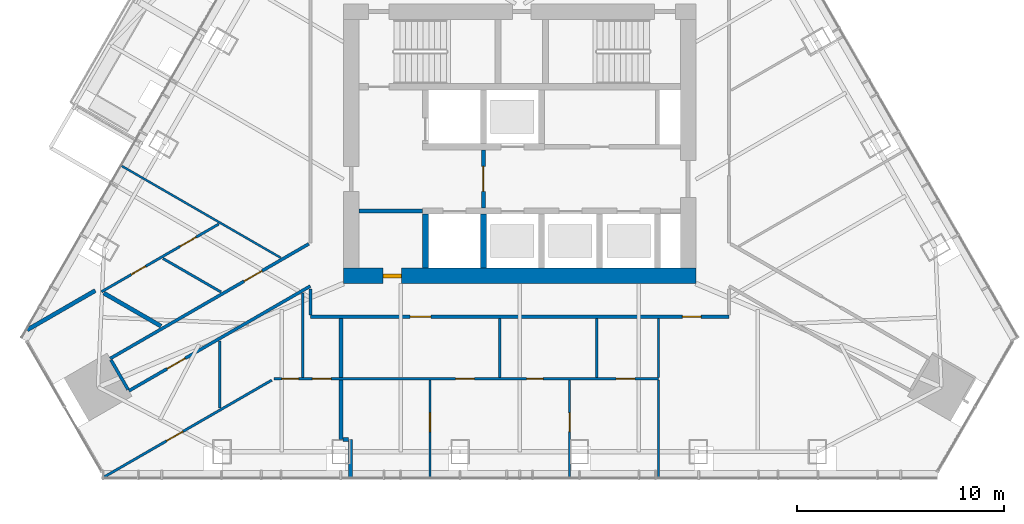
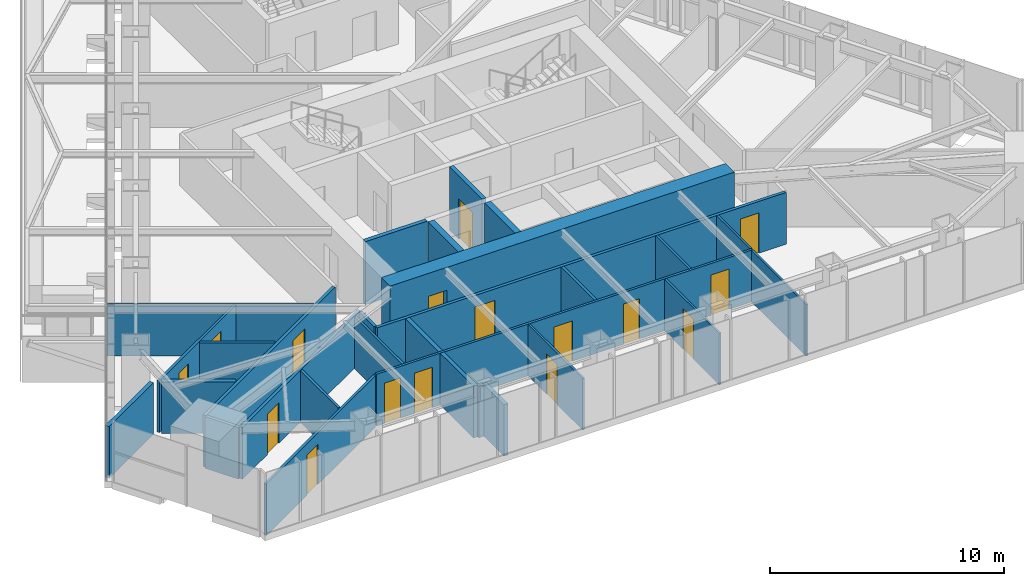
# One storey, part 10 of 16: 29 walls, 16 doors, 16 openings.
"""IFC4 building model written with IfcOpenShell, lengths in metres."""

from ifc_helpers import new_model, si_unit, direction, frame, frame_2d, origin, place, context, subcontext, project, spatial, rectangle, extrude, material, layer, layer_set, type_object, element, fill, save


model = new_model("IFC4")

# Units and contexts
model_context = context("Model", 3, precision=1e-05, world=origin(), true_north=direction((0.0, 1.0)))
body_context = subcontext(model_context, "Body", "Model", "MODEL_VIEW")
ifc_project = project(units=[si_unit("LENGTHUNIT", "METRE"), si_unit("AREAUNIT", "SQUARE_METRE"), si_unit("VOLUMEUNIT", "CUBIC_METRE"), si_unit("PLANEANGLEUNIT", "RADIAN"), si_unit("MASSUNIT", "GRAM", prefix="KILO")], contexts=[model_context])

# Site, building, storey
site_placement = place(None, origin())
site = spatial("IfcSite", under=ifc_project, at=site_placement, CompositionType="ELEMENT")
building_placement = place(site_placement, origin())
building = spatial("IfcBuilding", under=site, at=building_placement, Name="Firuza Gate Tower and Library", CompositionType="ELEMENT")
storey_placement = place(building_placement, frame((0.0, 0.0, 319.60009765625)))
storey = spatial("IfcBuildingStorey", under=building, at=storey_placement, Name="L78", CompositionType="ELEMENT", Elevation=319.60009765625)

# Wall
ifc_material_1 = material(Name="Plasterboard on steel studs", Category="steel")
ifc_layer_1 = layer(ifc_material_1, 0.199951171875)
ifc_layer_set_1 = layer_set([ifc_layer_1], Name="Core partition 200 EI 60")
wall_type_1 = type_object("IfcWallType", Name="Core partition 200 EI 60", PredefinedType="PARTITIONING", material=ifc_layer_set_1)
wall_1_placement = place(storey_placement, frame((67.25, 71.75, 0.0), z_axis=(0.0, 0.0, 1.0), x_axis=(1.0, 0.0, 0.0)))
element("IfcWall", 1, at=wall_1_placement, inside=storey, type_object=wall_type_1, Name="Core partition L78 1", PredefinedType="PARTITIONING", context=body_context, shape_type="SweptSolid", body=[
    extrude(rectangle(XDim=3.050048828125, YDim=0.199951171875, at=frame_2d((1.52490234375, 0.0))), origin(), (0.0, 0.0, 1.0), 3.2998046875),
])

# Wall, opening, door
wall_2_placement = place(storey_placement, frame((73.25, 71.89990234375, 0.0), z_axis=(0.0, 0.0, 1.0), x_axis=(0.0, 1.0, 0.0)))
wall_2 = element("IfcWall", 2, at=wall_2_placement, inside=storey, type_object=wall_type_1, Name="Core partition L78 4", PredefinedType="PARTITIONING", context=body_context, shape_type="SweptSolid", body=[
    extrude(rectangle(XDim=2.800048828125, YDim=0.199951171875, at=frame_2d((1.39990234375, 0.0))), origin(), (0.0, 0.0, 1.0), 3.2998046875),
])
opening_1_placement = place(wall_2_placement, frame((0.800048828125, 0.0, 0.0)))
opening_1 = element("IfcOpeningElement", 3, at=opening_1_placement, cuts=wall_2, Name="Opening L78-K14", PredefinedType="OPENING", context=body_context, shape_type="SweptSolid", body=[
    extrude(rectangle(XDim=1.199951171875, YDim=2.10009765625, at=frame_2d((0.60009765625, 1.050048828125))), frame((0.0, 0.10986328125, 0.0), z_axis=(0.0, -1.0, 0.0), x_axis=(1.0, 0.0, 0.0)), (0.0, 0.0, 1.0), 0.219970703125),
])
ifc_material_2 = material(Name="Steel", Category="steel")
door_type_1 = type_object("IfcDoorType", Name="Fire door 1200x2100 FD90S", OperationType="NOTDEFINED", PredefinedType="DOOR", material=ifc_material_2)
door_1_placement = place(opening_1_placement, origin())
door_1 = element("IfcDoor", 4, at=door_1_placement, inside=storey, type_object=door_type_1, Name="Door L78-K14", OperationType="SINGLE_SWING_LEFT", OverallHeight=2.10009765625, OverallWidth=1.199951171875, PredefinedType="DOOR", context=body_context, shape_type="SweptSolid", body=[
    extrude(rectangle(XDim=1.199951171875, YDim=2.10009765625, at=frame_2d((0.60009765625, 1.050048828125))), frame((0.0, 0.02490234375, 0.0), z_axis=(0.0, -1.0, 0.0), x_axis=(1.0, 0.0, 0.0)), (0.0, 0.0, 1.0), 0.050048828125),
])
fill(opening_1, door_1)

# Walls
ifc_material_3 = material(Name="Concrete C60/75", Category="concrete")
ifc_layer_2 = layer(ifc_material_3, 0.300048828125)
ifc_layer_set_2 = layer_set([ifc_layer_2], Name="Core wall 300 C60/75")
wall_type_2 = type_object("IfcWallType", Name="Core wall 300 C60/75", PredefinedType="SHEAR", material=ifc_layer_set_2)
for number, where, z_axis, x_axis, name in (
    (5, (70.449951171875, 69.0, 0.0), (0.0, 0.0, 1.0), (0.0, 1.0, 0.0), "Core wall L78 7"),
    (6, (73.25, 69.0, 0.0), (0.0, 0.0, 1.0), (0.0, 1.0, 0.0), "Core wall L78 9"),
):
    element("IfcWall", number, at=place(storey_placement, frame(where, z_axis=z_axis, x_axis=x_axis)), inside=storey, type_object=wall_type_2, Name=name, PredefinedType="SHEAR", context=body_context, shape_type="SweptSolid", body=[
        extrude(rectangle(XDim=2.60009765625, YDim=0.300048828125, at=frame_2d((1.300048828125, 0.0))), origin(), (0.0, 0.0, 1.0), 3.2998046875),
    ])

# Wall, opening, door
ifc_material_4 = material(Name="Concrete C60/75", Category="concrete")
ifc_layer_3 = layer(ifc_material_4, 0.75)
ifc_layer_set_3 = layer_set([ifc_layer_3], Name="Core wall 750 C60/75")
wall_type_3 = type_object("IfcWallType", Name="Core wall 750 C60/75", PredefinedType="SHEAR", material=ifc_layer_set_3)
wall_3_placement = place(storey_placement, frame((66.5, 68.625, 0.0), z_axis=(0.0, 0.0, 1.0), x_axis=(1.0, 0.0, 0.0)))
wall_3 = element("IfcWall", 7, at=wall_3_placement, inside=storey, type_object=wall_type_3, Name="Core wall L78 1", PredefinedType="SHEAR", context=body_context, shape_type="SweptSolid", body=[
    extrude(rectangle(XDim=17.0, YDim=0.75, at=frame_2d((8.5, 0.0))), origin(), (0.0, 0.0, 1.0), 3.2998046875),
])
opening_2_placement = place(wall_3_placement, frame((1.89990234375, 0.0, 0.0)))
opening_2 = element("IfcOpeningElement", 8, at=opening_2_placement, cuts=wall_3, Name="Opening L78-K17", PredefinedType="OPENING", context=body_context, shape_type="SweptSolid", body=[
    extrude(rectangle(XDim=0.89990234375, YDim=2.10009765625, at=frame_2d((0.449951171875, 1.050048828125))), frame((0.0, 0.385009765625, 0.0), z_axis=(0.0, -1.0, 0.0), x_axis=(1.0, 0.0, 0.0)), (0.0, 0.0, 1.0), 0.77001953125),
])
ifc_material_5 = material(Name="Steel", Category="steel")
door_type_2 = type_object("IfcDoorType", Name="Fire door 900x2100 FD30S", OperationType="NOTDEFINED", PredefinedType="DOOR", material=ifc_material_5)
door_2_placement = place(opening_2_placement, origin())
door_2 = element("IfcDoor", 9, at=door_2_placement, inside=storey, type_object=door_type_2, Name="Door L78-K17", OperationType="SINGLE_SWING_RIGHT", OverallHeight=2.10009765625, OverallWidth=0.89990234375, PredefinedType="DOOR", context=body_context, shape_type="SweptSolid", body=[
    extrude(rectangle(XDim=0.89990234375, YDim=2.10009765625, at=frame_2d((0.449951171875, 1.050048828125))), frame((0.0, 0.094970703125, 0.0), z_axis=(0.0, -1.0, 0.0), x_axis=(1.0, 0.0, 0.0)), (0.0, 0.0, 1.0), 0.18994140625),
])
fill(opening_2, door_2)

# Wall, openings, doors
ifc_material_6 = material(Name="Gypsum board partition")
ifc_layer_4 = layer(ifc_material_6, 0.14990234375)
ifc_layer_set_4 = layer_set([ifc_layer_4], Name="Corridor wall 150 double board on steel studs")
wall_type_4 = type_object("IfcWallType", Name="Corridor wall 150 double board on steel studs", PredefinedType="PARTITIONING", material=ifc_layer_set_4)
wall_4_placement = place(storey_placement, frame((85.099365234375, 66.64990234375, 0.0), z_axis=(0.0, 0.0, 1.0), x_axis=(-1.0, 0.0, 0.0)))
wall_4 = element("IfcWall", 10, at=wall_4_placement, inside=storey, type_object=wall_type_4, Name="f:L78:w002", PredefinedType="PARTITIONING", context=body_context, shape_type="SweptSolid", body=[
    extrude(rectangle(XDim=20.199462890625, YDim=0.14990234375, at=frame_2d((10.099609375, 0.0))), origin(), (0.0, 0.0, 1.0), 2.699951171875),
])
opening_3_placement = place(wall_4_placement, frame((1.3505859375, 0.0, 0.0)))
opening_3 = element("IfcOpeningElement", 11, at=opening_3_placement, cuts=wall_4, Name="Opening L78-06", PredefinedType="OPENING", context=body_context, shape_type="SweptSolid", body=[
    extrude(rectangle(XDim=0.89990234375, YDim=2.10009765625, at=frame_2d((0.449951171875, 1.050048828125))), frame((0.0, 0.0849609375, 0.0), z_axis=(0.0, -1.0, 0.0), x_axis=(1.0, 0.0, 0.0)), (0.0, 0.0, 1.0), 0.169921875),
])
opening_4_placement = place(wall_4_placement, frame((14.38623046875, 0.0, 0.0)))
opening_4 = element("IfcOpeningElement", 12, at=opening_4_placement, cuts=wall_4, Name="Opening L78-07", PredefinedType="OPENING", context=body_context, shape_type="SweptSolid", body=[
    extrude(rectangle(XDim=1.0, YDim=2.10009765625, at=frame_2d((0.5, 1.050048828125))), frame((0.0, 0.0849609375, 0.0), z_axis=(0.0, -1.0, 0.0), x_axis=(1.0, 0.0, 0.0)), (0.0, 0.0, 1.0), 0.169921875),
])
ifc_material_7 = material(Name="Steel door and timber leaf", Category="steel")
door_type_3 = type_object("IfcDoorType", Name="Fire door 1000 x 2100 steel frame, timber leaf", OperationType="NOTDEFINED", PredefinedType="DOOR", material=ifc_material_7)
door_3_placement = place(opening_4_placement, origin())
door_3 = element("IfcDoor", 13, at=door_3_placement, inside=storey, type_object=door_type_3, Name="f:L78:d007", OperationType="SINGLE_SWING_RIGHT", OverallHeight=2.10009765625, OverallWidth=1.0, PredefinedType="DOOR", context=body_context, shape_type="SweptSolid", body=[
    extrude(rectangle(XDim=1.0, YDim=2.10009765625, at=frame_2d((0.5, 1.050048828125))), frame((0.0, 0.02490234375, 0.0), z_axis=(0.0, -1.0, 0.0), x_axis=(1.0, 0.0, 0.0)), (0.0, 0.0, 1.0), 0.050048828125),
])
fill(opening_4, door_3)
ifc_material_8 = material(Name="Steel door and timber leaf", Category="steel")
door_type_4 = type_object("IfcDoorType", Name="Fire door 900 x 2100 steel frame, timber leaf", OperationType="NOTDEFINED", PredefinedType="DOOR", material=ifc_material_8)
door_4_placement = place(opening_3_placement, origin())
door_4 = element("IfcDoor", 14, at=door_4_placement, inside=storey, type_object=door_type_4, Name="f:L78:d006", OperationType="SINGLE_SWING_RIGHT", OverallHeight=2.10009765625, OverallWidth=0.89990234375, PredefinedType="DOOR", context=body_context, shape_type="SweptSolid", body=[
    extrude(rectangle(XDim=0.89990234375, YDim=2.10009765625, at=frame_2d((0.449951171875, 1.050048828125))), frame((0.0, 0.02490234375, 0.0), z_axis=(0.0, -1.0, 0.0), x_axis=(1.0, 0.0, 0.0)), (0.0, 0.0, 1.0), 0.050048828125),
])
fill(opening_3, door_4)

# Wall, opening, door
wall_5_placement = place(storey_placement, frame((56.14453125, 63.07470703125, 0.0), z_axis=(0.0, 0.0, 1.0), x_axis=(0.866024727794, 0.500001170848, 0.0)))
wall_5 = element("IfcWall", 15, at=wall_5_placement, inside=storey, type_object=wall_type_4, Name="f:L78:w015", PredefinedType="PARTITIONING", context=body_context, shape_type="SweptSolid", body=[
    extrude(rectangle(XDim=10.10986328125, YDim=0.14990234375, at=frame_2d((5.054931640625, 0.0))), origin(), (0.0, 0.0, 1.0), 2.697021484375),
])
opening_5_placement = place(wall_5_placement, frame((2.12841796875, 0.0, 0.0)))
opening_5 = element("IfcOpeningElement", 16, at=opening_5_placement, cuts=wall_5, Name="Opening L78-13", PredefinedType="OPENING", context=body_context, shape_type="SweptSolid", body=[
    extrude(rectangle(XDim=1.0, YDim=2.10009765625, at=frame_2d((0.5, 1.050048828125))), frame((0.0, 0.0849609375, 0.0), z_axis=(0.0, -1.0, 0.0), x_axis=(1.0, 0.0, 0.0)), (0.0, 0.0, 1.0), 0.169921875),
])
door_5_placement = place(opening_5_placement, origin())
door_5 = element("IfcDoor", 17, at=door_5_placement, inside=storey, type_object=door_type_3, Name="f:L78:d013", OperationType="SINGLE_SWING_LEFT", OverallHeight=2.10009765625, OverallWidth=1.0, PredefinedType="DOOR", context=body_context, shape_type="SweptSolid", body=[
    extrude(rectangle(XDim=1.0, YDim=2.10009765625, at=frame_2d((0.5, 1.050048828125))), frame((0.0, 0.02490234375, 0.0), z_axis=(0.0, -1.0, 0.0), x_axis=(1.0, 0.0, 0.0)), (0.0, 0.0, 1.0), 0.050048828125),
])
fill(opening_5, door_5)

wall_6_placement = place(storey_placement, frame((55.244384765625, 64.633544921875, 0.0), z_axis=(0.0, 0.0, 1.0), x_axis=(0.866029028053, 0.499993722531, 0.0)))
wall_6 = element("IfcWall", 18, at=wall_6_placement, inside=storey, type_object=wall_type_4, Name="f:L78:w016", PredefinedType="PARTITIONING", context=body_context, shape_type="SweptSolid", body=[
    extrude(rectangle(XDim=11.062744140625, YDim=0.14990234375, at=frame_2d((5.53125, 0.0))), origin(), (0.0, 0.0, 1.0), 2.699951171875),
])
opening_6_placement = place(wall_6_placement, frame((7.454345703125, 0.0, 0.0)))
opening_6 = element("IfcOpeningElement", 19, at=opening_6_placement, cuts=wall_6, Name="Opening L78-14", PredefinedType="OPENING", context=body_context, shape_type="SweptSolid", body=[
    extrude(rectangle(XDim=1.0, YDim=2.10009765625, at=frame_2d((0.5, 1.050048828125))), frame((0.0, 0.0849609375, 0.0), z_axis=(0.0, -1.0, 0.0), x_axis=(1.0, 0.0, 0.0)), (0.0, 0.0, 1.0), 0.169921875),
])
door_6_placement = place(opening_6_placement, origin())
door_6 = element("IfcDoor", 20, at=door_6_placement, inside=storey, type_object=door_type_3, Name="f:L78:d014", OperationType="SINGLE_SWING_LEFT", OverallHeight=2.10009765625, OverallWidth=1.0, PredefinedType="DOOR", context=body_context, shape_type="SweptSolid", body=[
    extrude(rectangle(XDim=1.0, YDim=2.10009765625, at=frame_2d((0.5, 1.050048828125))), frame((0.0, 0.02490234375, 0.0), z_axis=(0.0, -1.0, 0.0), x_axis=(1.0, 0.0, 0.0)), (0.0, 0.0, 1.0), 0.050048828125),
])
fill(opening_6, door_6)

# Walls
wall_7_placement = place(storey_placement, frame((64.89990234375, 66.72509765625, 0.0), z_axis=(0.0, 0.0, 1.0), x_axis=(0.0, 1.0, 0.0)))
element("IfcWall", 21, at=wall_7_placement, inside=storey, type_object=wall_type_4, Name="f:L78:w039", PredefinedType="PARTITIONING", context=body_context, shape_type="SweptSolid", body=[
    extrude(rectangle(XDim=1.267822265625, YDim=0.14990234375, at=frame_2d((0.6337890625, 0.0))), origin(), (0.0, 0.0, 1.0), 2.697021484375),
])
wall_8_placement = place(storey_placement, frame((56.10595703125, 63.139404296875, 0.0), z_axis=(0.0, 0.0, 1.0), x_axis=(-0.499944585209, 0.866057395165, 0.0)))
element("IfcWall", 22, at=wall_8_placement, inside=storey, type_object=wall_type_4, Name="f:L78:w044", PredefinedType="PARTITIONING", context=body_context, shape_type="SweptSolid", body=[
    extrude(rectangle(XDim=1.649169921875, YDim=0.14990234375, at=frame_2d((0.82470703125, 0.0))), origin(), (0.0, 0.0, 1.0), 2.697021484375),
])
ifc_material_9 = material(Name="Gypsum board partition")
ifc_layer_5 = layer(ifc_material_9, 0.199951171875)
ifc_layer_set_5 = layer_set([ifc_layer_5], Name="Demising wall 200 acoustic double stud")
wall_type_5 = type_object("IfcWallType", Name="Demising wall 200 acoustic double stud", PredefinedType="PARTITIONING", material=ifc_layer_set_5)
wall_9_placement = place(storey_placement, frame((66.48388671875, 60.736083984375, 0.0), z_axis=(0.0, 0.0, 1.0), x_axis=(1.0, 0.0, 0.0)))
element("IfcWall", 23, at=wall_9_placement, inside=storey, type_object=wall_type_5, Name="f:L78:w000", PredefinedType="PARTITIONING", context=body_context, shape_type="SweptSolid", body=[
    extrude(rectangle(XDim=0.25, YDim=0.199951171875, at=frame_2d((0.125, 0.0))), origin(), (0.0, 0.0, 1.0), 2.699951171875),
])
wall_10_placement = place(storey_placement, frame((51.241943359375, 66.017578125, 0.0), z_axis=(0.0, 0.0, 1.0), x_axis=(0.866010743078, 0.500025392229, 0.0)))
element("IfcWall", 24, at=wall_10_placement, inside=storey, type_object=wall_type_5, Name="f:L78:w018", PredefinedType="PARTITIONING", context=body_context, shape_type="SweptSolid", body=[
    extrude(rectangle(XDim=3.790283203125, YDim=0.199951171875, at=frame_2d((1.89501953125, 0.0))), origin(), (0.0, 0.0, 1.0), 2.699951171875),
])
wall_11_placement = place(storey_placement, frame((66.833984375, 58.916015625, 0.0), z_axis=(0.0, 0.0, 1.0), x_axis=(0.0, 1.0, 0.0)))
element("IfcWall", 25, at=wall_11_placement, inside=storey, type_object=wall_type_5, Name="f:L78:w037", PredefinedType="PARTITIONING", context=body_context, shape_type="SweptSolid", body=[
    extrude(rectangle(XDim=1.820068359375, YDim=0.199951171875, at=frame_2d((0.91015625, 0.0))), origin(), (0.0, 0.0, 1.0), 2.68798828125),
])
wall_12_placement = place(storey_placement, frame((66.384033203125, 60.736083984375, 0.0), z_axis=(0.0, 0.0, 1.0), x_axis=(0.0, 1.0, 0.0)))
element("IfcWall", 26, at=wall_12_placement, inside=storey, type_object=wall_type_5, Name="f:L78:w038", PredefinedType="PARTITIONING", context=body_context, shape_type="SweptSolid", body=[
    extrude(rectangle(XDim=2.85400390625, YDim=0.199951171875, at=frame_2d((1.427001953125, 0.0))), origin(), (0.0, 0.0, 1.0), 2.699951171875),
])
wall_13_placement = place(storey_placement, frame((57.6982421875, 66.196533203125, 0.0), z_axis=(0.0, 0.0, 1.0), x_axis=(-0.866019818373, 0.500009674092, 0.0)))
element("IfcWall", 27, at=wall_13_placement, inside=storey, type_object=wall_type_5, Name="f:L78:w052", PredefinedType="PARTITIONING", context=body_context, shape_type="SweptSolid", body=[
    extrude(rectangle(XDim=3.1884765625, YDim=0.199951171875, at=frame_2d((1.59423828125, 0.0))), origin(), (0.0, 0.0, 1.0), 2.699951171875),
])
wall_14_placement = place(storey_placement, frame((66.384033203125, 63.7099609375, 0.0), z_axis=(0.0, 0.0, 1.0), x_axis=(0.0, 1.0, 0.0)))
element("IfcWall", 28, at=wall_14_placement, inside=storey, type_object=wall_type_5, Name="f:L78:w055", PredefinedType="PARTITIONING", context=body_context, shape_type="SweptSolid", body=[
    extrude(rectangle(XDim=2.864990234375, YDim=0.199951171875, at=frame_2d((1.4326171875, 0.0))), origin(), (0.0, 0.0, 1.0), 2.699951171875),
])
ifc_material_10 = material(Name="Gypsum board partition")
ifc_layer_6 = layer(ifc_material_10, 0.10009765625)
ifc_layer_set_6 = layer_set([ifc_layer_6], Name="Partition 100 gypsum board on steel studs")
wall_type_6 = type_object("IfcWallType", Name="Partition 100 gypsum board on steel studs", PredefinedType="PARTITIONING", material=ifc_layer_set_6)
wall_15_placement = place(storey_placement, frame((81.700927734375, 58.916015625, 0.0), z_axis=(0.0, 0.0, 1.0), x_axis=(0.0, 1.0, 0.0)))
element("IfcWall", 29, at=wall_15_placement, inside=storey, type_object=wall_type_6, Name="f:L78:w024", PredefinedType="PARTITIONING", context=body_context, shape_type="SweptSolid", body=[
    extrude(rectangle(XDim=4.674072265625, YDim=0.10009765625, at=frame_2d((2.3369140625, 0.0))), origin(), (0.0, 0.0, 1.0), 2.68798828125),
])

# Wall, opening, door
wall_16_placement = place(storey_placement, frame((77.412109375, 63.590087890625, 0.0), z_axis=(0.0, 0.0, 1.0), x_axis=(0.0, -1.0, 0.0)))
wall_16 = element("IfcWall", 30, at=wall_16_placement, inside=storey, type_object=wall_type_6, Name="f:L78:w028", PredefinedType="PARTITIONING", context=body_context, shape_type="SweptSolid", body=[
    extrude(rectangle(XDim=4.674072265625, YDim=0.10009765625, at=frame_2d((2.3369140625, 0.0))), origin(), (0.0, 0.0, 1.0), 2.68798828125),
])
opening_7_placement = place(wall_16_placement, frame((1.576904296875, 0.0, 0.0)))
opening_7 = element("IfcOpeningElement", 31, at=opening_7_placement, cuts=wall_16, Name="Opening L78-18", PredefinedType="OPENING", context=body_context, shape_type="SweptSolid", body=[
    extrude(rectangle(XDim=0.89990234375, YDim=2.10009765625, at=frame_2d((0.449951171875, 1.050048828125))), frame((0.0, 0.06005859375, 0.0), z_axis=(0.0, -1.0, 0.0), x_axis=(1.0, 0.0, 0.0)), (0.0, 0.0, 1.0), 0.1201171875),
])
ifc_material_11 = material(Name="Timber door", Category="wood")
door_type_5 = type_object("IfcDoorType", Name="Door 900 x 2100 timber leaf", OperationType="NOTDEFINED", PredefinedType="DOOR", material=ifc_material_11)
door_7_placement = place(opening_7_placement, origin())
door_7 = element("IfcDoor", 32, at=door_7_placement, inside=storey, type_object=door_type_5, Name="f:L78:d018", OperationType="SINGLE_SWING_LEFT", OverallHeight=2.10009765625, OverallWidth=0.89990234375, PredefinedType="DOOR", context=body_context, shape_type="SweptSolid", body=[
    extrude(rectangle(XDim=0.89990234375, YDim=2.10009765625, at=frame_2d((0.449951171875, 1.050048828125))), frame((0.0, 0.02490234375, 0.0), z_axis=(0.0, -1.0, 0.0), x_axis=(1.0, 0.0, 0.0)), (0.0, 0.0, 1.0), 0.050048828125),
])
fill(opening_7, door_7)

wall_17_placement = place(storey_placement, frame((70.673095703125, 58.916015625, 0.0), z_axis=(0.0, 0.0, 1.0), x_axis=(0.0, 1.0, 0.0)))
wall_17 = element("IfcWall", 33, at=wall_17_placement, inside=storey, type_object=wall_type_6, Name="f:L78:w035", PredefinedType="PARTITIONING", context=body_context, shape_type="SweptSolid", body=[
    extrude(rectangle(XDim=4.674072265625, YDim=0.10009765625, at=frame_2d((2.3369140625, 0.0))), origin(), (0.0, 0.0, 1.0), 2.68798828125),
])
opening_8_placement = place(wall_17_placement, frame((2.197021484375, 0.0, 0.0)))
opening_8 = element("IfcOpeningElement", 34, at=opening_8_placement, cuts=wall_17, Name="Opening L78-19", PredefinedType="OPENING", context=body_context, shape_type="SweptSolid", body=[
    extrude(rectangle(XDim=0.89990234375, YDim=2.10009765625, at=frame_2d((0.449951171875, 1.050048828125))), frame((0.0, 0.06005859375, 0.0), z_axis=(0.0, -1.0, 0.0), x_axis=(1.0, 0.0, 0.0)), (0.0, 0.0, 1.0), 0.1201171875),
])
door_8_placement = place(opening_8_placement, origin())
door_8 = element("IfcDoor", 35, at=door_8_placement, inside=storey, type_object=door_type_5, Name="f:L78:d019", OperationType="SINGLE_SWING_LEFT", OverallHeight=2.10009765625, OverallWidth=0.89990234375, PredefinedType="DOOR", context=body_context, shape_type="SweptSolid", body=[
    extrude(rectangle(XDim=0.89990234375, YDim=2.10009765625, at=frame_2d((0.449951171875, 1.050048828125))), frame((0.0, 0.02490234375, 0.0), z_axis=(0.0, -1.0, 0.0), x_axis=(1.0, 0.0, 0.0)), (0.0, 0.0, 1.0), 0.050048828125),
])
fill(opening_8, door_8)

# Walls
wall_18_placement = place(storey_placement, frame((63.46826171875, 69.497802734375, 0.0), z_axis=(0.0, 0.0, 1.0), x_axis=(-0.866028903224, 0.499993938743, 0.0)))
element("IfcWall", 36, at=wall_18_placement, inside=storey, type_object=wall_type_6, Name="f:L78:w050", PredefinedType="PARTITIONING", context=body_context, shape_type="SweptSolid", body=[
    extrude(rectangle(XDim=8.84814453125, YDim=0.10009765625, at=frame_2d((4.424072265625, 0.0))), origin(), (0.0, 0.0, 1.0), 2.699951171875),
])
wall_19_placement = place(storey_placement, frame((81.700927734375, 63.7099609375, 0.0), z_axis=(0.0, 0.0, 1.0), x_axis=(0.0, 1.0, 0.0)))
element("IfcWall", 37, at=wall_19_placement, inside=storey, type_object=wall_type_6, Name="f:L78:w053", PredefinedType="PARTITIONING", context=body_context, shape_type="SweptSolid", body=[
    extrude(rectangle(XDim=2.864990234375, YDim=0.10009765625, at=frame_2d((1.4326171875, 0.0))), origin(), (0.0, 0.0, 1.0), 2.699951171875),
])

# Wall, openings, doors
ifc_material_12 = material(Name="Gypsum board partition")
ifc_layer_7 = layer(ifc_material_12, 0.1201171875)
ifc_layer_set_7 = layer_set([ifc_layer_7], Name="Wet-area partition 120 moisture-resistant board")
wall_type_7 = type_object("IfcWallType", Name="Wet-area partition 120 moisture-resistant board", PredefinedType="PARTITIONING", material=ifc_layer_set_7)
wall_20_placement = place(storey_placement, frame((63.14111328125, 63.64990234375, 0.0), z_axis=(0.0, 0.0, 1.0), x_axis=(1.0, 0.0, 0.0)))
wall_20 = element("IfcWall", 38, at=wall_20_placement, inside=storey, type_object=wall_type_7, Name="f:L78:w001", PredefinedType="PARTITIONING", context=body_context, shape_type="SweptSolid", body=[
    extrude(rectangle(XDim=18.560302734375, YDim=0.1201171875, at=frame_2d((9.2802734375, 0.0))), origin(), (0.0, 0.0, 1.0), 2.699951171875),
])
opening_9_placement = place(wall_20_placement, frame((0.390625, 0.0, 0.0)))
opening_9 = element("IfcOpeningElement", 39, at=opening_9_placement, cuts=wall_20, Name="Opening L78-01", PredefinedType="OPENING", context=body_context, shape_type="SweptSolid", body=[
    extrude(rectangle(XDim=0.800048828125, YDim=2.10009765625, at=frame_2d((0.39990234375, 1.050048828125))), frame((0.0, 0.070068359375, 0.0), z_axis=(0.0, -1.0, 0.0), x_axis=(1.0, 0.0, 0.0)), (0.0, 0.0, 1.0), 0.14013671875),
])
opening_10_placement = place(wall_20_placement, frame((1.862060546875, 0.0, 0.0)))
opening_10 = element("IfcOpeningElement", 40, at=opening_10_placement, cuts=wall_20, Name="Opening L78-02", PredefinedType="OPENING", context=body_context, shape_type="SweptSolid", body=[
    extrude(rectangle(XDim=0.89990234375, YDim=2.10009765625, at=frame_2d((0.449951171875, 1.050048828125))), frame((0.0, 0.070068359375, 0.0), z_axis=(0.0, -1.0, 0.0), x_axis=(1.0, 0.0, 0.0)), (0.0, 0.0, 1.0), 0.14013671875),
])
opening_11_placement = place(wall_20_placement, frame((8.76806640625, 0.0, 0.0)))
opening_11 = element("IfcOpeningElement", 41, at=opening_11_placement, cuts=wall_20, Name="Opening L78-03", PredefinedType="OPENING", context=body_context, shape_type="SweptSolid", body=[
    extrude(rectangle(XDim=0.89990234375, YDim=2.10009765625, at=frame_2d((0.449951171875, 1.050048828125))), frame((0.0, 0.070068359375, 0.0), z_axis=(0.0, -1.0, 0.0), x_axis=(1.0, 0.0, 0.0)), (0.0, 0.0, 1.0), 0.14013671875),
])
opening_12_placement = place(wall_20_placement, frame((12.187744140625, 0.0, 0.0)))
opening_12 = element("IfcOpeningElement", 42, at=opening_12_placement, cuts=wall_20, Name="Opening L78-04", PredefinedType="OPENING", context=body_context, shape_type="SweptSolid", body=[
    extrude(rectangle(XDim=0.800048828125, YDim=2.10009765625, at=frame_2d((0.39990234375, 1.050048828125))), frame((0.0, 0.070068359375, 0.0), z_axis=(0.0, -1.0, 0.0), x_axis=(1.0, 0.0, 0.0)), (0.0, 0.0, 1.0), 0.14013671875),
])
opening_13_placement = place(wall_20_placement, frame((16.51416015625, 0.0, 0.0)))
opening_13 = element("IfcOpeningElement", 43, at=opening_13_placement, cuts=wall_20, Name="Opening L78-05", PredefinedType="OPENING", context=body_context, shape_type="SweptSolid", body=[
    extrude(rectangle(XDim=0.89990234375, YDim=2.10009765625, at=frame_2d((0.449951171875, 1.050048828125))), frame((0.0, 0.070068359375, 0.0), z_axis=(0.0, -1.0, 0.0), x_axis=(1.0, 0.0, 0.0)), (0.0, 0.0, 1.0), 0.14013671875),
])
ifc_material_13 = material(Name="Timber door", Category="wood")
door_type_6 = type_object("IfcDoorType", Name="Door 800 x 2100 timber leaf", OperationType="NOTDEFINED", PredefinedType="DOOR", material=ifc_material_13)
door_9_placement = place(opening_9_placement, origin())
door_9 = element("IfcDoor", 44, at=door_9_placement, inside=storey, type_object=door_type_6, Name="f:L78:d001", OperationType="SINGLE_SWING_RIGHT", OverallHeight=2.10009765625, OverallWidth=0.800048828125, PredefinedType="DOOR", context=body_context, shape_type="SweptSolid", body=[
    extrude(rectangle(XDim=0.800048828125, YDim=2.10009765625, at=frame_2d((0.39990234375, 1.050048828125))), frame((0.0, 0.02490234375, 0.0), z_axis=(0.0, -1.0, 0.0), x_axis=(1.0, 0.0, 0.0)), (0.0, 0.0, 1.0), 0.050048828125),
])
fill(opening_9, door_9)
door_10_placement = place(opening_12_placement, origin())
door_10 = element("IfcDoor", 45, at=door_10_placement, inside=storey, type_object=door_type_6, Name="f:L78:d004", OperationType="SINGLE_SWING_LEFT", OverallHeight=2.10009765625, OverallWidth=0.800048828125, PredefinedType="DOOR", context=body_context, shape_type="SweptSolid", body=[
    extrude(rectangle(XDim=0.800048828125, YDim=2.10009765625, at=frame_2d((0.39990234375, 1.050048828125))), frame((0.0, 0.02490234375, 0.0), z_axis=(0.0, -1.0, 0.0), x_axis=(1.0, 0.0, 0.0)), (0.0, 0.0, 1.0), 0.050048828125),
])
fill(opening_12, door_10)
door_11_placement = place(opening_10_placement, origin())
door_11 = element("IfcDoor", 46, at=door_11_placement, inside=storey, type_object=door_type_5, Name="f:L78:d002", OperationType="SINGLE_SWING_LEFT", OverallHeight=2.10009765625, OverallWidth=0.89990234375, PredefinedType="DOOR", context=body_context, shape_type="SweptSolid", body=[
    extrude(rectangle(XDim=0.89990234375, YDim=2.10009765625, at=frame_2d((0.449951171875, 1.050048828125))), frame((0.0, 0.02490234375, 0.0), z_axis=(0.0, -1.0, 0.0), x_axis=(1.0, 0.0, 0.0)), (0.0, 0.0, 1.0), 0.050048828125),
])
fill(opening_10, door_11)
door_12_placement = place(opening_11_placement, origin())
door_12 = element("IfcDoor", 47, at=door_12_placement, inside=storey, type_object=door_type_5, Name="f:L78:d003", OperationType="SINGLE_SWING_RIGHT", OverallHeight=2.10009765625, OverallWidth=0.89990234375, PredefinedType="DOOR", context=body_context, shape_type="SweptSolid", body=[
    extrude(rectangle(XDim=0.89990234375, YDim=2.10009765625, at=frame_2d((0.449951171875, 1.050048828125))), frame((0.0, 0.02490234375, 0.0), z_axis=(0.0, -1.0, 0.0), x_axis=(1.0, 0.0, 0.0)), (0.0, 0.0, 1.0), 0.050048828125),
])
fill(opening_11, door_12)
door_13_placement = place(opening_13_placement, origin())
door_13 = element("IfcDoor", 48, at=door_13_placement, inside=storey, type_object=door_type_5, Name="f:L78:d005", OperationType="SINGLE_SWING_RIGHT", OverallHeight=2.10009765625, OverallWidth=0.89990234375, PredefinedType="DOOR", context=body_context, shape_type="SweptSolid", body=[
    extrude(rectangle(XDim=0.89990234375, YDim=2.10009765625, at=frame_2d((0.449951171875, 1.050048828125))), frame((0.0, 0.02490234375, 0.0), z_axis=(0.0, -1.0, 0.0), x_axis=(1.0, 0.0, 0.0)), (0.0, 0.0, 1.0), 0.050048828125),
])
fill(opening_13, door_13)

# Wall, opening, door
wall_21_placement = place(storey_placement, frame((63.037353515625, 63.590087890625, 0.0), z_axis=(0.0, 0.0, 1.0), x_axis=(-0.866024667879, -0.500001274624, 0.0)))
wall_21 = element("IfcWall", 49, at=wall_21_placement, inside=storey, type_object=wall_type_7, Name="f:L78:w012", PredefinedType="PARTITIONING", context=body_context, shape_type="SweptSolid", body=[
    extrude(rectangle(XDim=9.34814453125, YDim=0.1201171875, at=frame_2d((4.674072265625, 0.0))), origin(), (0.0, 0.0, 1.0), 2.699951171875),
])
opening_14_placement = place(wall_21_placement, frame((4.954833984375, 0.0, 0.0)))
opening_14 = element("IfcOpeningElement", 50, at=opening_14_placement, cuts=wall_21, Name="Opening L78-12", PredefinedType="OPENING", context=body_context, shape_type="SweptSolid", body=[
    extrude(rectangle(XDim=0.89990234375, YDim=2.10009765625, at=frame_2d((0.449951171875, 1.050048828125))), frame((0.0, 0.070068359375, 0.0), z_axis=(0.0, -1.0, 0.0), x_axis=(1.0, 0.0, 0.0)), (0.0, 0.0, 1.0), 0.14013671875),
])
door_14_placement = place(opening_14_placement, origin())
door_14 = element("IfcDoor", 51, at=door_14_placement, inside=storey, type_object=door_type_5, Name="f:L78:d012", OperationType="SINGLE_SWING_LEFT", OverallHeight=2.10009765625, OverallWidth=0.89990234375, PredefinedType="DOOR", context=body_context, shape_type="SweptSolid", body=[
    extrude(rectangle(XDim=0.89990234375, YDim=2.10009765625, at=frame_2d((0.449951171875, 1.050048828125))), frame((0.0, 0.02490234375, 0.0), z_axis=(0.0, -1.0, 0.0), x_axis=(1.0, 0.0, 0.0)), (0.0, 0.0, 1.0), 0.050048828125),
])
fill(opening_14, door_14)

# Wall, openings, doors
wall_22_placement = place(storey_placement, frame((60.484619140625, 71.123046875, 0.0), z_axis=(0.0, 0.0, 1.0), x_axis=(-0.866018230694, -0.500012423951, 0.0)))
wall_22 = element("IfcWall", 52, at=wall_22_placement, inside=storey, type_object=wall_type_7, Name="f:L78:w017", PredefinedType="PARTITIONING", context=body_context, shape_type="SweptSolid", body=[
    extrude(rectangle(XDim=6.534912109375, YDim=0.1201171875, at=frame_2d((3.267578125, 0.0))), origin(), (0.0, 0.0, 1.0), 2.699951171875),
])
opening_15_placement = place(wall_22_placement, frame((1.2607421875, 0.0, 0.0)))
opening_15 = element("IfcOpeningElement", 53, at=opening_15_placement, cuts=wall_22, Name="Opening L78-15", PredefinedType="OPENING", context=body_context, shape_type="SweptSolid", body=[
    extrude(rectangle(XDim=0.89990234375, YDim=2.10009765625, at=frame_2d((0.449951171875, 1.050048828125))), frame((0.0, 0.070068359375, 0.0), z_axis=(0.0, -1.0, 0.0), x_axis=(1.0, 0.0, 0.0)), (0.0, 0.0, 1.0), 0.14013671875),
])
opening_16_placement = place(wall_22_placement, frame((4.07666015625, 0.0, 0.0)))
opening_16 = element("IfcOpeningElement", 54, at=opening_16_placement, cuts=wall_22, Name="Opening L78-16", PredefinedType="OPENING", context=body_context, shape_type="SweptSolid", body=[
    extrude(rectangle(XDim=0.800048828125, YDim=2.10009765625, at=frame_2d((0.39990234375, 1.050048828125))), frame((0.0, 0.070068359375, 0.0), z_axis=(0.0, -1.0, 0.0), x_axis=(1.0, 0.0, 0.0)), (0.0, 0.0, 1.0), 0.14013671875),
])
door_15_placement = place(opening_16_placement, origin())
door_15 = element("IfcDoor", 55, at=door_15_placement, inside=storey, type_object=door_type_6, Name="f:L78:d016", OperationType="SINGLE_SWING_LEFT", OverallHeight=2.10009765625, OverallWidth=0.800048828125, PredefinedType="DOOR", context=body_context, shape_type="SweptSolid", body=[
    extrude(rectangle(XDim=0.800048828125, YDim=2.10009765625, at=frame_2d((0.39990234375, 1.050048828125))), frame((0.0, 0.02490234375, 0.0), z_axis=(0.0, -1.0, 0.0), x_axis=(1.0, 0.0, 0.0)), (0.0, 0.0, 1.0), 0.050048828125),
])
fill(opening_16, door_15)
door_16_placement = place(opening_15_placement, origin())
door_16 = element("IfcDoor", 56, at=door_16_placement, inside=storey, type_object=door_type_5, Name="f:L78:d015", OperationType="SINGLE_SWING_LEFT", OverallHeight=2.10009765625, OverallWidth=0.89990234375, PredefinedType="DOOR", context=body_context, shape_type="SweptSolid", body=[
    extrude(rectangle(XDim=0.89990234375, YDim=2.10009765625, at=frame_2d((0.449951171875, 1.050048828125))), frame((0.0, 0.02490234375, 0.0), z_axis=(0.0, -1.0, 0.0), x_axis=(1.0, 0.0, 0.0)), (0.0, 0.0, 1.0), 0.050048828125),
])
fill(opening_15, door_16)

# Walls
for number, where, z_axis, x_axis, name in (
    (57, (78.708984375, 63.7099609375, 0.0), (0.0, 0.0, 1.0), (0.0, 1.0, 0.0), "f:L78:w026"),
    (58, (74.04296875, 63.7099609375, 0.0), (0.0, 0.0, 1.0), (0.0, 1.0, 0.0), "f:L78:w033"),
):
    element("IfcWall", number, at=place(storey_placement, frame(where, z_axis=z_axis, x_axis=x_axis)), inside=storey, type_object=wall_type_7, Name=name, PredefinedType="PARTITIONING", context=body_context, shape_type="SweptSolid", body=[
        extrude(rectangle(XDim=2.864990234375, YDim=0.1201171875, at=frame_2d((1.4326171875, 0.0))), origin(), (0.0, 0.0, 1.0), 2.699951171875),
    ])
wall_23_placement = place(storey_placement, frame((64.52294921875, 63.7099609375, 0.0), z_axis=(0.0, 0.0, 1.0), x_axis=(0.0, 1.0, 0.0)))
element("IfcWall", 59, at=wall_23_placement, inside=storey, type_object=wall_type_7, Name="f:L78:w041", PredefinedType="PARTITIONING", context=body_context, shape_type="SweptSolid", body=[
    extrude(rectangle(XDim=4.074951171875, YDim=0.1201171875, at=frame_2d((2.03759765625, 0.0))), origin(), (0.0, 0.0, 1.0), 2.697021484375),
])
for number, where, z_axis, x_axis, name in (
    (60, (60.52099609375, 62.24658203125, 0.0), (0.0, 0.0, 1.0), (0.0, 1.0, 0.0), "f:L78:w042"),
    (61, (60.587646484375, 67.8447265625, 0.0), (0.0, 0.0, 1.0), (-0.86605210011, 0.499953757757, 0.0), "f:L78:w051"),
):
    element("IfcWall", number, at=place(storey_placement, frame(where, z_axis=z_axis, x_axis=x_axis)), inside=storey, type_object=wall_type_7, Name=name, PredefinedType="PARTITIONING", context=body_context, shape_type="SweptSolid", body=[
        extrude(rectangle(XDim=3.228271484375, YDim=0.1201171875, at=frame_2d((1.6142578125, 0.0))), origin(), (0.0, 0.0, 1.0), 2.699951171875),
    ])

save(model, "model.ifc")
